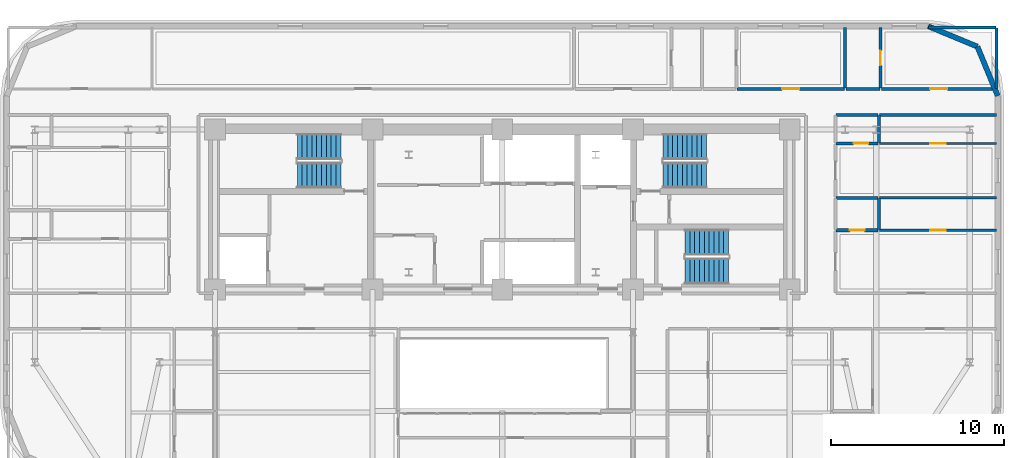
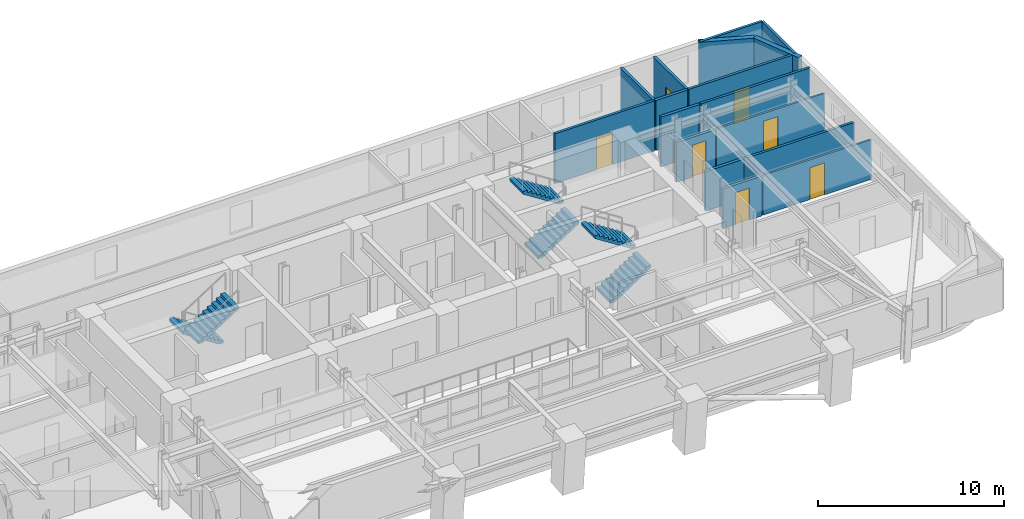
# One storey, part 11 of 14: 19 walls, 7 doors, 6 stair flights, 7 openings, 3 elements without a shape of their own.
"""IFC4 building model written with IfcOpenShell, lengths in metres."""

from ifc_helpers import new_model, si_unit, direction, frame, frame_2d, origin, place, context, subcontext, project, spatial, polyline, rectangle, outline, extrude, material, layer, layer_set, type_object, element, fill, aggregate, save


model = new_model("IFC4")

# Units and contexts
model_context = context("Model", 3, precision=1e-05, world=origin(), true_north=direction((0.0, 1.0)))
body_context = subcontext(model_context, "Body", "Model", "MODEL_VIEW")
ifc_project = project(units=[si_unit("LENGTHUNIT", "METRE"), si_unit("AREAUNIT", "SQUARE_METRE"), si_unit("VOLUMEUNIT", "CUBIC_METRE"), si_unit("PLANEANGLEUNIT", "RADIAN"), si_unit("MASSUNIT", "GRAM", prefix="KILO")], contexts=[model_context])

# Site, building, storey
site_placement = place(None, origin())
site = spatial("IfcSite", under=ifc_project, at=site_placement, CompositionType="ELEMENT")
building_placement = place(site_placement, origin())
building = spatial("IfcBuilding", under=site, at=building_placement, Name="Zarnavel Station Tower", CompositionType="ELEMENT")
storey_placement = place(building_placement, frame((0.0, 0.0, 129.300048828125)))
storey = spatial("IfcBuildingStorey", under=building, at=storey_placement, Name="L35", CompositionType="ELEMENT", Elevation=129.300048828125)

# Walls
ifc_material_1 = material(Name="Precast concrete C45/55 (Dark Basalt Finish)", Category="masonry")
ifc_layer_1 = layer(ifc_material_1, 0.300048828125)
ifc_layer_set_1 = layer_set([ifc_layer_1], Name="EW_BASALT_300")
wall_type_1 = type_object("IfcWallType", Name="EW_BASALT_300", PredefinedType="SOLIDWALL", material=ifc_layer_set_1)
wall_1_placement = place(storey_placement, frame((56.24267578125, 41.842529296875, 0.0), z_axis=(0.0, 0.0, 1.0), x_axis=(0.382636798336, -0.92389884758, 0.0)))
element("IfcWall", 1, at=wall_1_placement, inside=storey, type_object=wall_type_1, Name="L35 Exterior Basalt Masonry Frame Wall 04", PredefinedType="SOLIDWALL", context=body_context, shape_type="SweptSolid", body=[
    extrude(rectangle(XDim=3.07666015625, YDim=0.300048828125, at=frame_2d((1.538330078125, 0.0))), origin(), (0.0, 0.0, 1.0), 3.280029296875),
])
wall_2_placement = place(storey_placement, frame((53.39990234375, 43.02001953125, 0.0), z_axis=(0.0, 0.0, 1.0), x_axis=(0.923882414032, -0.382676475685, 0.0)))
element("IfcWall", 2, at=wall_2_placement, inside=storey, type_object=wall_type_1, Name="L35 Exterior Basalt Masonry Frame Wall 05", PredefinedType="SOLIDWALL", context=body_context, shape_type="SweptSolid", body=[
    extrude(rectangle(XDim=3.076904296875, YDim=0.300048828125, at=frame_2d((1.53857421875, 0.0))), origin(), (0.0, 0.0, 1.0), 3.280029296875),
])
ifc_material_2 = material(Name="Gypsum Twin-Stud Acoustic Fire Partition", Category="concrete")
ifc_layer_2 = layer(ifc_material_2, 0.159912109375)
ifc_layer_set_2 = layer_set([ifc_layer_2], Name="PT_DEMISE_160")
wall_type_2 = type_object("IfcWallType", Name="PT_DEMISE_160", PredefinedType="PARTITIONING", material=ifc_layer_set_2)
wall_3_placement = place(storey_placement, frame((50.590087890625, 37.89990234375, 0.0), z_axis=(0.0, 0.0, 1.0), x_axis=(1.0, 0.0, 0.0)))
element("IfcWall", 3, at=wall_3_placement, inside=storey, type_object=wall_type_2, Name="L35 Partition COR-N-FNE2S", PredefinedType="PARTITIONING", context=body_context, shape_type="SweptSolid", body=[
    extrude(rectangle(XDim=6.75, YDim=0.159912109375, at=frame_2d((3.375, 0.0))), origin(), (0.0, 0.0, 1.0), 3.280029296875),
])

# Wall, opening, door
wall_4_placement = place(storey_placement, frame((42.363037109375, 39.39990234375, 0.0), z_axis=(0.0, 0.0, 1.0), x_axis=(1.0, 0.0, 0.0)))
wall_4 = element("IfcWall", 4, at=wall_4_placement, inside=storey, type_object=wall_type_2, Name="L35 Partition COR-N-HN2R", PredefinedType="PARTITIONING", context=body_context, shape_type="SweptSolid", body=[
    extrude(rectangle(XDim=6.197021484375, YDim=0.159912109375, at=frame_2d((3.0986328125, 0.0))), origin(), (0.0, 0.0, 1.0), 3.280029296875),
])
opening_1_placement = place(wall_4_placement, frame((2.598388671875, 0.0, 0.0)))
opening_1 = element("IfcOpeningElement", 5, at=opening_1_placement, cuts=wall_4, Name="Opening FD02", PredefinedType="OPENING", context=body_context, shape_type="SweptSolid", body=[
    extrude(rectangle(XDim=1.0, YDim=2.14990234375, at=frame_2d((0.5, 1.074951171875))), frame((0.0, 0.08984375, 0.0), z_axis=(0.0, -1.0, 0.0), x_axis=(1.0, 0.0, 0.0)), (0.0, 0.0, 1.0), 0.179931640625),
])
ifc_material_3 = material(Name="Painted Galvanised Steel and Hardwood Leaf", Category="steel")
door_type_1 = type_object("IfcDoorType", Name="ID_ENTRY_1000", OperationType="NOTDEFINED", PredefinedType="DOOR", material=ifc_material_3)
door_1_placement = place(opening_1_placement, origin())
door_1 = element("IfcDoor", 6, at=door_1_placement, inside=storey, type_object=door_type_1, Name="L35 Door COR-N-HN2R", OperationType="SINGLE_SWING_RIGHT", OverallHeight=2.14990234375, OverallWidth=1.0, PredefinedType="DOOR", context=body_context, shape_type="SweptSolid", body=[
    extrude(rectangle(XDim=1.0, YDim=2.14990234375, at=frame_2d((0.5, 1.074951171875))), frame((0.0, 0.02490234375, 0.0), z_axis=(0.0, -1.0, 0.0), x_axis=(1.0, 0.0, 0.0)), (0.0, 0.0, 1.0), 0.050048828125),
])
fill(opening_1, door_1)

wall_5_placement = place(storey_placement, frame((50.68994140625, 39.39990234375, 0.0), z_axis=(0.0, 0.0, 1.0), x_axis=(1.0, 0.0, 0.0)))
wall_5 = element("IfcWall", 7, at=wall_5_placement, inside=storey, type_object=wall_type_2, Name="L35 Partition COR-N-HN3R", PredefinedType="PARTITIONING", context=body_context, shape_type="SweptSolid", body=[
    extrude(rectangle(XDim=6.650146484375, YDim=0.159912109375, at=frame_2d((3.3251953125, 0.0))), origin(), (0.0, 0.0, 1.0), 3.280029296875),
])
opening_2_placement = place(wall_5_placement, frame((2.824951171875, 0.0, 0.0)))
opening_2 = element("IfcOpeningElement", 8, at=opening_2_placement, cuts=wall_5, Name="Opening FD02", PredefinedType="OPENING", context=body_context, shape_type="SweptSolid", body=[
    extrude(rectangle(XDim=1.0, YDim=2.14990234375, at=frame_2d((0.5, 1.074951171875))), frame((0.0, 0.08984375, 0.0), z_axis=(0.0, -1.0, 0.0), x_axis=(1.0, 0.0, 0.0)), (0.0, 0.0, 1.0), 0.179931640625),
])
door_2_placement = place(opening_2_placement, origin())
door_2 = element("IfcDoor", 9, at=door_2_placement, inside=storey, type_object=door_type_1, Name="L35 Door COR-N-HN3R", OperationType="SINGLE_SWING_LEFT", OverallHeight=2.14990234375, OverallWidth=1.0, PredefinedType="DOOR", context=body_context, shape_type="SweptSolid", body=[
    extrude(rectangle(XDim=1.0, YDim=2.14990234375, at=frame_2d((0.5, 1.074951171875))), frame((0.0, 0.02490234375, 0.0), z_axis=(0.0, -1.0, 0.0), x_axis=(1.0, 0.0, 0.0)), (0.0, 0.0, 1.0), 0.050048828125),
])
fill(opening_2, door_2)

# Walls
wall_6_placement = place(storey_placement, frame((50.590087890625, 33.10888671875, 0.0), z_axis=(0.0, 0.0, 1.0), x_axis=(1.0, 0.0, 0.0)))
element("IfcWall", 10, at=wall_6_placement, inside=storey, type_object=wall_type_2, Name="L35 Partition FNE1S-FNE2R", PredefinedType="PARTITIONING", context=body_context, shape_type="SweptSolid", body=[
    extrude(rectangle(XDim=6.75, YDim=0.159912109375, at=frame_2d((3.375, 0.0))), origin(), (0.0, 0.0, 1.0), 2.60986328125),
])
wall_7_placement = place(storey_placement, frame((53.429931640625, 42.93994140625, 0.0), z_axis=(0.0, 0.0, 1.0), x_axis=(1.0, 0.0, 0.0)))
element("IfcWall", 11, at=wall_7_placement, inside=storey, type_object=wall_type_2, Name="L35 Enclosure Wall HN3R", PredefinedType="PARTITIONING", context=body_context, shape_type="SweptSolid", body=[
    extrude(rectangle(XDim=3.880126953125, YDim=0.159912109375, at=frame_2d((1.93994140625, 0.0))), origin(), (0.0, 0.0, 1.0), 3.280029296875),
])
wall_8_placement = place(storey_placement, frame((57.340087890625, 39.429931640625, 0.0), z_axis=(0.0, 0.0, 1.0), x_axis=(0.0, 1.0, 0.0)))
element("IfcWall", 12, at=wall_8_placement, inside=storey, type_object=wall_type_2, Name="L35 Enclosure Wall HN3R", PredefinedType="PARTITIONING", context=body_context, shape_type="SweptSolid", body=[
    extrude(rectangle(XDim=3.47998046875, YDim=0.159912109375, at=frame_2d((1.739990234375, 0.0))), origin(), (0.0, 0.0, 1.0), 3.280029296875),
])

# Wall, opening, door
ifc_material_4 = material(Name="Gypsum Metal-Stud Interior Partition", Category="concrete")
ifc_layer_3 = layer(ifc_material_4, 0.1201171875)
ifc_layer_set_3 = layer_set([ifc_layer_3], Name="PT_ROOM_120")
wall_type_3 = type_object("IfcWallType", Name="PT_ROOM_120", PredefinedType="PARTITIONING", material=ifc_layer_set_3)
wall_9_placement = place(storey_placement, frame((50.590087890625, 31.236083984375, 0.0), z_axis=(0.0, 0.0, 1.0), x_axis=(1.0, 0.0, 0.0)))
wall_9 = element("IfcWall", 13, at=wall_9_placement, inside=storey, type_object=wall_type_3, Name="L35 Partition FNE1R-FNE1S", PredefinedType="PARTITIONING", context=body_context, shape_type="SweptSolid", body=[
    extrude(rectangle(XDim=6.75, YDim=0.1201171875, at=frame_2d((3.375, 0.0))), origin(), (0.0, 0.0, 1.0), 2.60986328125),
])
opening_3_placement = place(wall_9_placement, frame((2.925048828125, 0.0, 0.0)))
opening_3 = element("IfcOpeningElement", 14, at=opening_3_placement, cuts=wall_9, Name="Opening ID01", PredefinedType="OPENING", context=body_context, shape_type="SweptSolid", body=[
    extrude(rectangle(XDim=0.89990234375, YDim=2.10009765625, at=frame_2d((0.449951171875, 1.050048828125))), frame((0.0, 0.070068359375, 0.0), z_axis=(0.0, -1.0, 0.0), x_axis=(1.0, 0.0, 0.0)), (0.0, 0.0, 1.0), 0.14013671875),
])
ifc_material_5 = material(Name="Painted Galvanised Steel and Hardwood Leaf", Category="steel")
door_type_2 = type_object("IfcDoorType", Name="ID_ROOM_900", OperationType="NOTDEFINED", PredefinedType="DOOR", material=ifc_material_5)
door_3_placement = place(opening_3_placement, origin())
door_3 = element("IfcDoor", 15, at=door_3_placement, inside=storey, type_object=door_type_2, Name="L35 Door FNE1R-FNE1S", OperationType="SINGLE_SWING_LEFT", OverallHeight=2.10009765625, OverallWidth=0.89990234375, PredefinedType="DOOR", context=body_context, shape_type="SweptSolid", body=[
    extrude(rectangle(XDim=0.89990234375, YDim=2.10009765625, at=frame_2d((0.449951171875, 1.050048828125))), frame((0.0, 0.02490234375, 0.0), z_axis=(0.0, -1.0, 0.0), x_axis=(1.0, 0.0, 0.0)), (0.0, 0.0, 1.0), 0.050048828125),
])
fill(opening_3, door_3)

wall_10_placement = place(storey_placement, frame((50.590087890625, 36.25, 0.0), z_axis=(0.0, 0.0, 1.0), x_axis=(1.0, 0.0, 0.0)))
wall_10 = element("IfcWall", 16, at=wall_10_placement, inside=storey, type_object=wall_type_3, Name="L35 Partition FNE2R-FNE2S", PredefinedType="PARTITIONING", context=body_context, shape_type="SweptSolid", body=[
    extrude(rectangle(XDim=6.75, YDim=0.1201171875, at=frame_2d((3.375, 0.0))), origin(), (0.0, 0.0, 1.0), 2.60986328125),
])
opening_4_placement = place(wall_10_placement, frame((2.925048828125, 0.0, 0.0)))
opening_4 = element("IfcOpeningElement", 17, at=opening_4_placement, cuts=wall_10, Name="Opening ID01", PredefinedType="OPENING", context=body_context, shape_type="SweptSolid", body=[
    extrude(rectangle(XDim=0.89990234375, YDim=2.10009765625, at=frame_2d((0.449951171875, 1.050048828125))), frame((0.0, 0.070068359375, 0.0), z_axis=(0.0, -1.0, 0.0), x_axis=(1.0, 0.0, 0.0)), (0.0, 0.0, 1.0), 0.14013671875),
])
door_4_placement = place(opening_4_placement, origin())
door_4 = element("IfcDoor", 18, at=door_4_placement, inside=storey, type_object=door_type_2, Name="L35 Door FNE2R-FNE2S", OperationType="SINGLE_SWING_LEFT", OverallHeight=2.10009765625, OverallWidth=0.89990234375, PredefinedType="DOOR", context=body_context, shape_type="SweptSolid", body=[
    extrude(rectangle(XDim=0.89990234375, YDim=2.10009765625, at=frame_2d((0.449951171875, 1.050048828125))), frame((0.0, 0.02490234375, 0.0), z_axis=(0.0, -1.0, 0.0), x_axis=(1.0, 0.0, 0.0)), (0.0, 0.0, 1.0), 0.050048828125),
])
fill(opening_4, door_4)

# Walls
ifc_material_6 = material(Name="Moisture-Resistant Plumbing Chase Wall", Category="concrete")
ifc_layer_4 = layer(ifc_material_6, 0.179931640625)
ifc_layer_set_4 = layer_set([ifc_layer_4], Name="PW_PLUMB_180")
wall_type_4 = type_object("IfcWallType", Name="PW_PLUMB_180", PredefinedType="PLUMBINGWALL", material=ifc_layer_set_4)
wall_11_placement = place(storey_placement, frame((48.090087890625, 37.89990234375, 0.0), z_axis=(0.0, 0.0, 1.0), x_axis=(1.0, 0.0, 0.0)))
element("IfcWall", 19, at=wall_11_placement, inside=storey, type_object=wall_type_4, Name="L35 Partition COR-N-FNE2B", PredefinedType="PLUMBINGWALL", context=body_context, shape_type="SweptSolid", body=[
    extrude(rectangle(XDim=2.419921875, YDim=0.179931640625, at=frame_2d((1.2099609375, 0.0))), origin(), (0.0, 0.0, 1.0), 3.280029296875),
])
wall_12_placement = place(storey_placement, frame((48.639892578125, 39.39990234375, 0.0), z_axis=(0.0, 0.0, 1.0), x_axis=(1.0, 0.0, 0.0)))
element("IfcWall", 20, at=wall_12_placement, inside=storey, type_object=wall_type_4, Name="L35 Partition COR-N-HN3B", PredefinedType="PLUMBINGWALL", context=body_context, shape_type="SweptSolid", body=[
    extrude(rectangle(XDim=1.97021484375, YDim=0.179931640625, at=frame_2d((0.985107421875, 0.0))), origin(), (0.0, 0.0, 1.0), 3.280029296875),
])

# Wall, opening, door
wall_13_placement = place(storey_placement, frame((48.090087890625, 31.236083984375, 0.0), z_axis=(0.0, 0.0, 1.0), x_axis=(1.0, 0.0, 0.0)))
wall_13 = element("IfcWall", 21, at=wall_13_placement, inside=storey, type_object=wall_type_4, Name="L35 Partition FNE1R-FNE1B", PredefinedType="PLUMBINGWALL", context=body_context, shape_type="SweptSolid", body=[
    extrude(rectangle(XDim=2.419921875, YDim=0.179931640625, at=frame_2d((1.2099609375, 0.0))), origin(), (0.0, 0.0, 1.0), 2.60986328125),
])
opening_5_placement = place(wall_13_placement, frame((0.784912109375, 0.0, 0.0)))
opening_5 = element("IfcOpeningElement", 22, at=opening_5_placement, cuts=wall_13, Name="Opening ID02", PredefinedType="OPENING", context=body_context, shape_type="SweptSolid", body=[
    extrude(rectangle(XDim=0.85009765625, YDim=2.10009765625, at=frame_2d((0.425048828125, 1.050048828125))), frame((0.0, 0.099853515625, 0.0), z_axis=(0.0, -1.0, 0.0), x_axis=(1.0, 0.0, 0.0)), (0.0, 0.0, 1.0), 0.199951171875),
])
ifc_material_7 = material(Name="Painted Galvanised Steel and Hardwood Leaf", Category="steel")
door_type_3 = type_object("IfcDoorType", Name="ID_BATH_850", OperationType="NOTDEFINED", PredefinedType="DOOR", material=ifc_material_7)
door_5_placement = place(opening_5_placement, origin())
door_5 = element("IfcDoor", 23, at=door_5_placement, inside=storey, type_object=door_type_3, Name="L35 Door FNE1R-FNE1B", OperationType="SINGLE_SWING_RIGHT", OverallHeight=2.10009765625, OverallWidth=0.85009765625, PredefinedType="DOOR", context=body_context, shape_type="SweptSolid", body=[
    extrude(rectangle(XDim=0.85009765625, YDim=2.10009765625, at=frame_2d((0.425048828125, 1.050048828125))), frame((0.0, 0.02490234375, 0.0), z_axis=(0.0, -1.0, 0.0), x_axis=(1.0, 0.0, 0.0)), (0.0, 0.0, 1.0), 0.050048828125),
])
fill(opening_5, door_5)

# Walls
wall_14_placement = place(storey_placement, frame((50.550048828125, 31.27587890625, 0.0), z_axis=(0.0, 0.0, 1.0), x_axis=(0.0, 1.0, 0.0)))
element("IfcWall", 24, at=wall_14_placement, inside=storey, type_object=wall_type_4, Name="L35 Partition FNE1B-FNE1S", PredefinedType="PLUMBINGWALL", context=body_context, shape_type="SweptSolid", body=[
    extrude(rectangle(XDim=1.793212890625, YDim=0.179931640625, at=frame_2d((0.896484375, 0.0))), origin(), (0.0, 0.0, 1.0), 2.60986328125),
])
wall_15_placement = place(storey_placement, frame((48.090087890625, 33.10888671875, 0.0), z_axis=(0.0, 0.0, 1.0), x_axis=(1.0, 0.0, 0.0)))
element("IfcWall", 25, at=wall_15_placement, inside=storey, type_object=wall_type_4, Name="L35 Partition FNE1B-FNE2R", PredefinedType="PLUMBINGWALL", context=body_context, shape_type="SweptSolid", body=[
    extrude(rectangle(XDim=2.419921875, YDim=0.179931640625, at=frame_2d((1.2099609375, 0.0))), origin(), (0.0, 0.0, 1.0), 2.60986328125),
])

# Wall, opening, door
wall_16_placement = place(storey_placement, frame((50.510009765625, 36.25, 0.0), z_axis=(0.0, 0.0, 1.0), x_axis=(-1.0, 0.0, 0.0)))
wall_16 = element("IfcWall", 26, at=wall_16_placement, inside=storey, type_object=wall_type_4, Name="L35 Partition FNE2R-FNE2B", PredefinedType="PLUMBINGWALL", context=body_context, shape_type="SweptSolid", body=[
    extrude(rectangle(XDim=2.419921875, YDim=0.179931640625, at=frame_2d((1.2099609375, 0.0))), origin(), (0.0, 0.0, 1.0), 2.60986328125),
])
opening_6_placement = place(wall_16_placement, frame((0.570068359375, 0.0, 0.0)))
opening_6 = element("IfcOpeningElement", 27, at=opening_6_placement, cuts=wall_16, Name="Opening ID02", PredefinedType="OPENING", context=body_context, shape_type="SweptSolid", body=[
    extrude(rectangle(XDim=0.85009765625, YDim=2.10009765625, at=frame_2d((0.425048828125, 1.050048828125))), frame((0.0, 0.099853515625, 0.0), z_axis=(0.0, -1.0, 0.0), x_axis=(1.0, 0.0, 0.0)), (0.0, 0.0, 1.0), 0.199951171875),
])
door_6_placement = place(opening_6_placement, origin())
door_6 = element("IfcDoor", 28, at=door_6_placement, inside=storey, type_object=door_type_3, Name="L35 Door FNE2R-FNE2B", OperationType="SINGLE_SWING_RIGHT", OverallHeight=2.10009765625, OverallWidth=0.85009765625, PredefinedType="DOOR", context=body_context, shape_type="SweptSolid", body=[
    extrude(rectangle(XDim=0.85009765625, YDim=2.10009765625, at=frame_2d((0.425048828125, 1.050048828125))), frame((0.0, 0.02490234375, 0.0), z_axis=(0.0, -1.0, 0.0), x_axis=(1.0, 0.0, 0.0)), (0.0, 0.0, 1.0), 0.050048828125),
])
fill(opening_6, door_6)

# Walls
wall_17_placement = place(storey_placement, frame((50.550048828125, 36.2900390625, 0.0), z_axis=(0.0, 0.0, 1.0), x_axis=(0.0, 1.0, 0.0)))
element("IfcWall", 29, at=wall_17_placement, inside=storey, type_object=wall_type_4, Name="L35 Partition FNE2B-FNE2S", PredefinedType="PLUMBINGWALL", context=body_context, shape_type="SweptSolid", body=[
    extrude(rectangle(XDim=1.570068359375, YDim=0.179931640625, at=frame_2d((0.78515625, 0.0))), origin(), (0.0, 0.0, 1.0), 2.60986328125),
])
wall_18_placement = place(storey_placement, frame((48.60009765625, 39.43994140625, 0.0), z_axis=(0.0, 0.0, 1.0), x_axis=(0.0, 1.0, 0.0)))
element("IfcWall", 30, at=wall_18_placement, inside=storey, type_object=wall_type_4, Name="L35 Partition HN2R-HN3B", PredefinedType="PLUMBINGWALL", context=body_context, shape_type="SweptSolid", body=[
    extrude(rectangle(XDim=3.5, YDim=0.179931640625, at=frame_2d((1.75, 0.0))), origin(), (0.0, 0.0, 1.0), 3.280029296875),
])

# Wall, opening, door
wall_19_placement = place(storey_placement, frame((50.64990234375, 39.43994140625, 0.0), z_axis=(0.0, 0.0, 1.0), x_axis=(0.0, 1.0, 0.0)))
wall_19 = element("IfcWall", 31, at=wall_19_placement, inside=storey, type_object=wall_type_4, Name="L35 Partition HN3R-HN3B", PredefinedType="PLUMBINGWALL", context=body_context, shape_type="SweptSolid", body=[
    extrude(rectangle(XDim=3.5, YDim=0.179931640625, at=frame_2d((1.75, 0.0))), origin(), (0.0, 0.0, 1.0), 3.280029296875),
])
opening_7_placement = place(wall_19_placement, frame((1.324951171875, 0.0, 0.0)))
opening_7 = element("IfcOpeningElement", 32, at=opening_7_placement, cuts=wall_19, Name="Opening ID02", PredefinedType="OPENING", context=body_context, shape_type="SweptSolid", body=[
    extrude(rectangle(XDim=0.85009765625, YDim=2.10009765625, at=frame_2d((0.425048828125, 1.050048828125))), frame((0.0, 0.099853515625, 0.0), z_axis=(0.0, -1.0, 0.0), x_axis=(1.0, 0.0, 0.0)), (0.0, 0.0, 1.0), 0.199951171875),
])
door_7_placement = place(opening_7_placement, origin())
door_7 = element("IfcDoor", 33, at=door_7_placement, inside=storey, type_object=door_type_3, Name="L35 Door HN3R-HN3B", OperationType="SINGLE_SWING_RIGHT", OverallHeight=2.10009765625, OverallWidth=0.85009765625, PredefinedType="DOOR", context=body_context, shape_type="SweptSolid", body=[
    extrude(rectangle(XDim=0.85009765625, YDim=2.10009765625, at=frame_2d((0.425048828125, 1.050048828125))), frame((0.0, 0.02490234375, 0.0), z_axis=(0.0, -1.0, 0.0), x_axis=(1.0, 0.0, 0.0)), (0.0, 0.0, 1.0), 0.050048828125),
])
fill(opening_7, door_7)

# Stair, stair flights
ifc_material_8 = material(Name="Concrete C45/55", Category="concrete")
stair_type = type_object("IfcStairType", Name="ST_CORE_150", PredefinedType="HALF_TURN_STAIR", material=ifc_material_8)
stair_1_placement = place(storey_placement, origin())
stair_1 = element("IfcStair", 34, at=stair_1_placement, inside=storey, type_object=stair_type, Name="L35 Core Exit Stair ST1", PredefinedType="HALF_TURN_STAIR")
ifc_material_9 = material(Name="Concrete C45/55", Category="concrete")
ifc_layer_5 = layer(ifc_material_9, 0.179931640625)
ifc_layer_set_5 = layer_set([ifc_layer_5], Name="ST_CORE_150_FLT")
stair_flight_type = type_object("IfcStairFlightType", Name="ST_CORE_150_FLT", PredefinedType="STRAIGHT", material=ifc_layer_set_5)
stair_flight_1_placement = place(storey_placement, frame((19.47998046875, 36.070068359375, 0.0), z_axis=(0.0, 0.0, 1.0), x_axis=(-1.0, 0.0, 0.0)))
stair_flight_1 = element("IfcStairFlight", 35, at=stair_flight_1_placement, type_object=stair_flight_type, Name="ST1 flight 1", NumberOfRisers=10, NumberOfTreads=9, PredefinedType="STRAIGHT", RiserHeight=0.18, TreadLength=0.28, context=body_context, shape_type="SweptSolid", body=[
    extrude(outline(polyline([(0.0, 0.0), (0.0, 0.179931640625), (0.280029296875, 0.179931640625), (0.280029296875, 0.360107421875), (0.56005859375, 0.360107421875), (0.56005859375, 0.5400390625), (0.840087890625, 0.5400390625), (0.840087890625, 0.719970703125), (1.1201171875, 0.719970703125), (1.1201171875, 0.89990234375), (1.39990234375, 0.89990234375), (1.39990234375, 1.080078125), (1.679931640625, 1.080078125), (1.679931640625, 1.260009765625), (1.9599609375, 1.260009765625), (1.9599609375, 1.43994140625), (2.239990234375, 1.43994140625), (2.239990234375, 1.6201171875), (2.52001953125, 1.6201171875), (2.52001953125, 1.800048828125), (2.52001953125, 1.44189453125), (0.277099609375, 0.0), (0.0, 0.0)])), frame((0.0, 0.75, 0.0), z_axis=(0.0, -1.0, 0.0), x_axis=(1.0, 0.0, 0.0)), (0.0, 0.0, 1.0), 1.5),
])
stair_flight_2_placement = place(storey_placement, frame((16.9599609375, 34.409912109375, 1.800048828125), z_axis=(0.0, 0.0, 1.0), x_axis=(1.0, 0.0, 0.0)))
stair_flight_2 = element("IfcStairFlight", 36, at=stair_flight_2_placement, type_object=stair_flight_type, Name="ST1 flight 2", NumberOfRisers=10, NumberOfTreads=9, PredefinedType="STRAIGHT", RiserHeight=0.18, TreadLength=0.28, context=body_context, shape_type="SweptSolid", body=[
    extrude(outline(polyline([(0.0, 0.0), (0.0, 0.179931640625), (0.280029296875, 0.179931640625), (0.280029296875, 0.360107421875), (0.56005859375, 0.360107421875), (0.56005859375, 0.5400390625), (0.840087890625, 0.5400390625), (0.840087890625, 0.719970703125), (1.1201171875, 0.719970703125), (1.1201171875, 0.89990234375), (1.39990234375, 0.89990234375), (1.39990234375, 1.080078125), (1.679931640625, 1.080078125), (1.679931640625, 1.260009765625), (1.9599609375, 1.260009765625), (1.9599609375, 1.43994140625), (2.239990234375, 1.43994140625), (2.239990234375, 1.6201171875), (2.52001953125, 1.6201171875), (2.52001953125, 1.800048828125), (2.52001953125, 1.44189453125), (0.277099609375, 0.0), (0.0, 0.0)])), frame((0.0, 0.75, 0.0), z_axis=(0.0, -1.0, 0.0), x_axis=(1.0, 0.0, 0.0)), (0.0, 0.0, 1.0), 1.5),
])
aggregate(stair_1, [stair_flight_1, stair_flight_2])

stair_2_placement = place(storey_placement, origin())
stair_2 = element("IfcStair", 37, at=stair_2_placement, inside=storey, type_object=stair_type, Name="L35 Core Exit Stair ST2", PredefinedType="HALF_TURN_STAIR")
stair_flight_3_placement = place(storey_placement, frame((38.080078125, 34.409912109375, 0.0), z_axis=(0.0, 0.0, 1.0), x_axis=(1.0, 0.0, 0.0)))
stair_flight_3 = element("IfcStairFlight", 38, at=stair_flight_3_placement, type_object=stair_flight_type, Name="ST2 flight 1", NumberOfRisers=10, NumberOfTreads=9, PredefinedType="STRAIGHT", RiserHeight=0.18, TreadLength=0.28, context=body_context, shape_type="SweptSolid", body=[
    extrude(outline(polyline([(0.0, 0.0), (0.0, 0.179931640625), (0.280029296875, 0.179931640625), (0.280029296875, 0.360107421875), (0.56005859375, 0.360107421875), (0.56005859375, 0.5400390625), (0.840087890625, 0.5400390625), (0.840087890625, 0.719970703125), (1.1201171875, 0.719970703125), (1.1201171875, 0.89990234375), (1.39990234375, 0.89990234375), (1.39990234375, 1.080078125), (1.679931640625, 1.080078125), (1.679931640625, 1.260009765625), (1.9599609375, 1.260009765625), (1.9599609375, 1.43994140625), (2.239990234375, 1.43994140625), (2.239990234375, 1.6201171875), (2.52001953125, 1.6201171875), (2.52001953125, 1.800048828125), (2.52001953125, 1.44189453125), (0.277099609375, 0.0), (0.0, 0.0)])), frame((0.0, 0.75, 0.0), z_axis=(0.0, -1.0, 0.0), x_axis=(1.0, 0.0, 0.0)), (0.0, 0.0, 1.0), 1.5),
])
stair_flight_4_placement = place(storey_placement, frame((40.60009765625, 36.070068359375, 1.800048828125), z_axis=(0.0, 0.0, 1.0), x_axis=(-1.0, 0.0, 0.0)))
stair_flight_4 = element("IfcStairFlight", 39, at=stair_flight_4_placement, type_object=stair_flight_type, Name="ST2 flight 2", NumberOfRisers=10, NumberOfTreads=9, PredefinedType="STRAIGHT", RiserHeight=0.18, TreadLength=0.28, context=body_context, shape_type="SweptSolid", body=[
    extrude(outline(polyline([(0.0, 0.0), (0.0, 0.179931640625), (0.280029296875, 0.179931640625), (0.280029296875, 0.360107421875), (0.56005859375, 0.360107421875), (0.56005859375, 0.5400390625), (0.840087890625, 0.5400390625), (0.840087890625, 0.719970703125), (1.1201171875, 0.719970703125), (1.1201171875, 0.89990234375), (1.39990234375, 0.89990234375), (1.39990234375, 1.080078125), (1.679931640625, 1.080078125), (1.679931640625, 1.260009765625), (1.9599609375, 1.260009765625), (1.9599609375, 1.43994140625), (2.239990234375, 1.43994140625), (2.239990234375, 1.6201171875), (2.52001953125, 1.6201171875), (2.52001953125, 1.800048828125), (2.52001953125, 1.44189453125), (0.277099609375, 0.0), (0.0, 0.0)])), frame((0.0, 0.75, 0.0), z_axis=(0.0, -1.0, 0.0), x_axis=(1.0, 0.0, 0.0)), (0.0, 0.0, 1.0), 1.5),
])
aggregate(stair_2, [stair_flight_3, stair_flight_4])

stair_3_placement = place(storey_placement, origin())
stair_3 = element("IfcStair", 40, at=stair_3_placement, inside=storey, type_object=stair_type, Name="L35 Core Exit Stair ST3", PredefinedType="HALF_TURN_STAIR")
stair_flight_5_placement = place(storey_placement, frame((39.35009765625, 28.8701171875, 0.0), z_axis=(0.0, 0.0, 1.0), x_axis=(1.0, 0.0, 0.0)))
stair_flight_5 = element("IfcStairFlight", 41, at=stair_flight_5_placement, type_object=stair_flight_type, Name="ST3 flight 1", NumberOfRisers=10, NumberOfTreads=9, PredefinedType="STRAIGHT", RiserHeight=0.18, TreadLength=0.28, context=body_context, shape_type="SweptSolid", body=[
    extrude(outline(polyline([(0.0, 0.0), (0.0, 0.179931640625), (0.280029296875, 0.179931640625), (0.280029296875, 0.360107421875), (0.56005859375, 0.360107421875), (0.56005859375, 0.5400390625), (0.840087890625, 0.5400390625), (0.840087890625, 0.719970703125), (1.1201171875, 0.719970703125), (1.1201171875, 0.89990234375), (1.39990234375, 0.89990234375), (1.39990234375, 1.080078125), (1.679931640625, 1.080078125), (1.679931640625, 1.260009765625), (1.9599609375, 1.260009765625), (1.9599609375, 1.43994140625), (2.239990234375, 1.43994140625), (2.239990234375, 1.6201171875), (2.52001953125, 1.6201171875), (2.52001953125, 1.800048828125), (2.52001953125, 1.44189453125), (0.277099609375, 0.0), (0.0, 0.0)])), frame((0.0, 0.75, 0.0), z_axis=(0.0, -1.0, 0.0), x_axis=(1.0, 0.0, 0.0)), (0.0, 0.0, 1.0), 1.5),
])
stair_flight_6_placement = place(storey_placement, frame((41.8701171875, 30.530029296875, 1.800048828125), z_axis=(0.0, 0.0, 1.0), x_axis=(-1.0, 0.0, 0.0)))
stair_flight_6 = element("IfcStairFlight", 42, at=stair_flight_6_placement, type_object=stair_flight_type, Name="ST3 flight 2", NumberOfRisers=10, NumberOfTreads=9, PredefinedType="STRAIGHT", RiserHeight=0.18, TreadLength=0.28, context=body_context, shape_type="SweptSolid", body=[
    extrude(outline(polyline([(0.0, 0.0), (0.0, 0.179931640625), (0.280029296875, 0.179931640625), (0.280029296875, 0.360107421875), (0.56005859375, 0.360107421875), (0.56005859375, 0.5400390625), (0.840087890625, 0.5400390625), (0.840087890625, 0.719970703125), (1.1201171875, 0.719970703125), (1.1201171875, 0.89990234375), (1.39990234375, 0.89990234375), (1.39990234375, 1.080078125), (1.679931640625, 1.080078125), (1.679931640625, 1.260009765625), (1.9599609375, 1.260009765625), (1.9599609375, 1.43994140625), (2.239990234375, 1.43994140625), (2.239990234375, 1.6201171875), (2.52001953125, 1.6201171875), (2.52001953125, 1.800048828125), (2.52001953125, 1.44189453125), (0.277099609375, 0.0), (0.0, 0.0)])), frame((0.0, 0.75, 0.0), z_axis=(0.0, -1.0, 0.0), x_axis=(1.0, 0.0, 0.0)), (0.0, 0.0, 1.0), 1.5),
])
aggregate(stair_3, [stair_flight_5, stair_flight_6])

save(model, "model.ifc")
